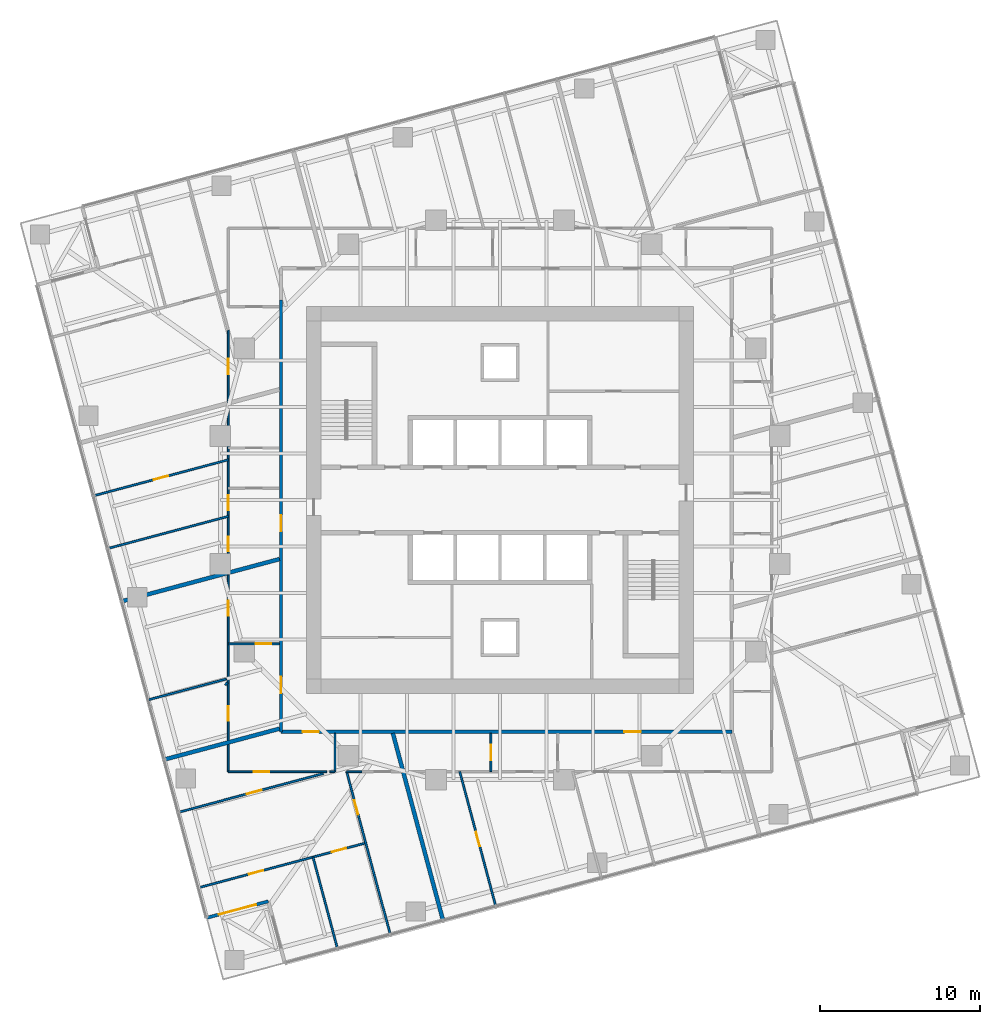
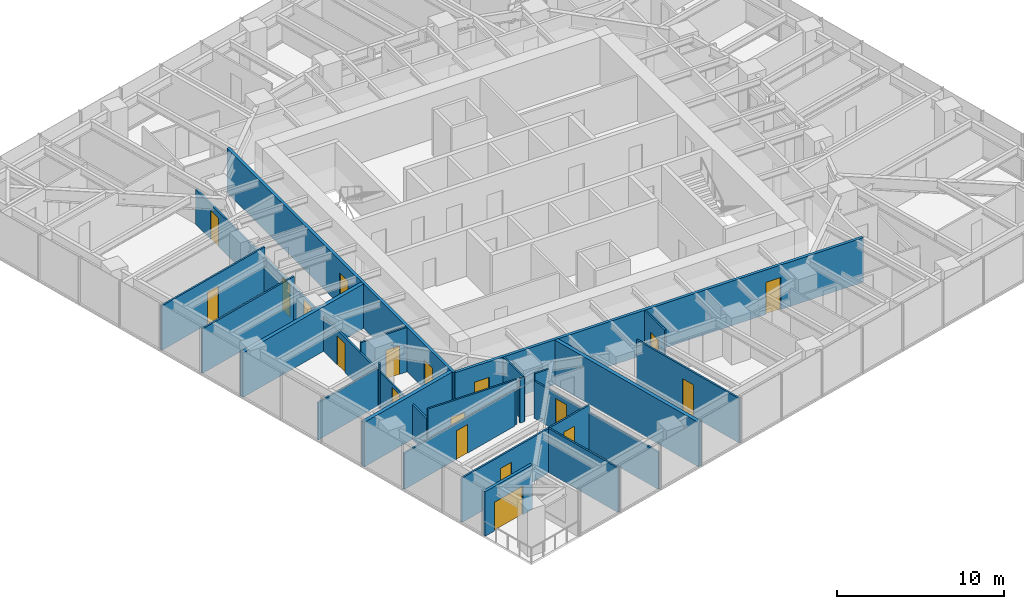
# One storey, part 8 of 13: 22 walls, 19 doors, 19 openings.
"""IFC4 building model written with IfcOpenShell, lengths in metres."""

from ifc_helpers import new_model, si_unit, direction, frame, frame_2d, origin, place, context, subcontext, project, spatial, rectangle, extrude, material, layer, layer_set, type_object, element, fill, save


model = new_model("IFC4")

# Units and contexts
model_context = context("Model", 3, precision=1e-05, world=origin(), true_north=direction((0.0, 1.0)))
body_context = subcontext(model_context, "Body", "Model", "MODEL_VIEW")
ifc_project = project(units=[si_unit("LENGTHUNIT", "METRE"), si_unit("AREAUNIT", "SQUARE_METRE"), si_unit("VOLUMEUNIT", "CUBIC_METRE"), si_unit("PLANEANGLEUNIT", "RADIAN"), si_unit("MASSUNIT", "GRAM", prefix="KILO")], contexts=[model_context])

# Site, building, storey
site_placement = place(None, origin())
site = spatial("IfcSite", under=ifc_project, at=site_placement, CompositionType="ELEMENT")
building_placement = place(site_placement, origin())
building = spatial("IfcBuilding", under=site, at=building_placement, Name="Torsade Residences", CompositionType="ELEMENT")
storey_placement = place(building_placement, frame((0.0, 0.0, 115.0)))
storey = spatial("IfcBuildingStorey", under=building, at=storey_placement, Name="L31", CompositionType="ELEMENT", Elevation=115.0)

# Wall, openings, doors
ifc_material_1 = material(Name="Plasterboard on steel stud", Category="steel")
ifc_layer_1 = layer(ifc_material_1, 0.199951171875)
ifc_layer_set_1 = layer_set([ifc_layer_1], Name="Plasterboard on steel stud")
wall_type_1 = type_object("IfcWallType", Name="CORRIDOR WALL 200", PredefinedType="PARTITIONING", material=ifc_layer_set_1)
wall_1_placement = place(storey_placement, frame((26.300048828125, 15.5, 0.0), z_axis=(0.0, 0.0, 1.0), x_axis=(1.0, 0.0, 0.0)))
wall_1 = element("IfcWall", 1, at=wall_1_placement, inside=storey, type_object=wall_type_1, Name="Corridor wall L31", PredefinedType="PARTITIONING", context=body_context, shape_type="SweptSolid", body=[
    extrude(rectangle(XDim=28.199951171875, YDim=0.199951171875, at=frame_2d((14.10009765625, 0.0))), origin(), (0.0, 0.0, 1.0), 3.25),
])
opening_1_placement = place(wall_1_placement, frame((21.473876953125, 0.0, 0.0)))
opening_1 = element("IfcOpeningElement", 2, at=opening_1_placement, cuts=wall_1, Name="Opening D01", PredefinedType="OPENING", context=body_context, shape_type="SweptSolid", body=[
    extrude(rectangle(XDim=1.02001953125, YDim=2.340087890625, at=frame_2d((0.510009765625, 1.169921875))), frame((0.0, 0.10986328125, 0.0), z_axis=(0.0, -1.0, 0.0), x_axis=(1.0, 0.0, 0.0)), (0.0, 0.0, 1.0), 0.219970703125),
])
opening_2_placement = place(wall_1_placement, frame((1.35302734375, 0.0, 0.0)))
opening_2 = element("IfcOpeningElement", 3, at=opening_2_placement, cuts=wall_1, Name="Opening D01L", PredefinedType="OPENING", context=body_context, shape_type="SweptSolid", body=[
    extrude(rectangle(XDim=1.02001953125, YDim=2.10009765625, at=frame_2d((0.510009765625, 1.050048828125))), frame((0.0, 0.10986328125, 0.0), z_axis=(0.0, -1.0, 0.0), x_axis=(1.0, 0.0, 0.0)), (0.0, 0.0, 1.0), 0.219970703125),
])
ifc_material_2 = material(Name="Solid-core timber fire door", Category="wood")
door_type_1 = type_object("IfcDoorType", Name="APARTMENT ENTRY DOOR 1020x2100", OperationType="NOTDEFINED", PredefinedType="DOOR", material=ifc_material_2)
door_1_placement = place(opening_2_placement, origin())
door_1 = element("IfcDoor", 4, at=door_1_placement, inside=storey, type_object=door_type_1, Name="Door Residential corridor to Kitchen and dining", OperationType="SINGLE_SWING_LEFT", OverallHeight=2.10009765625, OverallWidth=1.02001953125, PredefinedType="DOOR", context=body_context, shape_type="SweptSolid", body=[
    extrude(rectangle(XDim=1.02001953125, YDim=2.10009765625, at=frame_2d((0.510009765625, 1.050048828125))), frame((0.0, 0.02490234375, 0.0), z_axis=(0.0, -1.0, 0.0), x_axis=(1.0, 0.0, 0.0)), (0.0, 0.0, 1.0), 0.050048828125),
])
fill(opening_2, door_1)
ifc_material_3 = material(Name="Solid-core timber fire door", Category="wood")
door_type_2 = type_object("IfcDoorType", Name="APARTMENT ENTRY DOOR 1020x2340", OperationType="NOTDEFINED", PredefinedType="DOOR", material=ifc_material_3)
door_2_placement = place(opening_1_placement, origin())
door_2 = element("IfcDoor", 5, at=door_2_placement, inside=storey, type_object=door_type_2, Name="Door Residential corridor to Kitchen and dining", OperationType="SINGLE_SWING_LEFT", OverallHeight=2.340087890625, OverallWidth=1.02001953125, PredefinedType="DOOR", context=body_context, shape_type="SweptSolid", body=[
    extrude(rectangle(XDim=1.02001953125, YDim=2.340087890625, at=frame_2d((0.510009765625, 1.169921875))), frame((0.0, 0.02490234375, 0.0), z_axis=(0.0, -1.0, 0.0), x_axis=(1.0, 0.0, 0.0)), (0.0, 0.0, 1.0), 0.050048828125),
])
fill(opening_1, door_2)

wall_2_placement = place(storey_placement, frame((26.300048828125, 42.52001953125, 0.0), z_axis=(0.0, 0.0, 1.0), x_axis=(0.0, -1.0, 0.0)))
wall_2 = element("IfcWall", 6, at=wall_2_placement, inside=storey, type_object=wall_type_1, Name="Corridor wall L31", PredefinedType="PARTITIONING", context=body_context, shape_type="SweptSolid", body=[
    extrude(rectangle(XDim=27.02001953125, YDim=0.199951171875, at=frame_2d((13.510009765625, 0.0))), origin(), (0.0, 0.0, 1.0), 3.25),
])
opening_3_placement = place(wall_2_placement, frame((23.583984375, 0.0, 0.0)))
opening_3 = element("IfcOpeningElement", 7, at=opening_3_placement, cuts=wall_2, Name="Opening D01L", PredefinedType="OPENING", context=body_context, shape_type="SweptSolid", body=[
    extrude(rectangle(XDim=1.02001953125, YDim=2.10009765625, at=frame_2d((0.510009765625, 1.050048828125))), frame((0.0, 0.10986328125, 0.0), z_axis=(0.0, -1.0, 0.0), x_axis=(1.0, 0.0, 0.0)), (0.0, 0.0, 1.0), 0.219970703125),
])
opening_4_placement = place(wall_2_placement, frame((13.468017578125, 0.0, 0.0)))
opening_4 = element("IfcOpeningElement", 8, at=opening_4_placement, cuts=wall_2, Name="Opening D01", PredefinedType="OPENING", context=body_context, shape_type="SweptSolid", body=[
    extrude(rectangle(XDim=1.02001953125, YDim=2.340087890625, at=frame_2d((0.510009765625, 1.169921875))), frame((0.0, 0.10986328125, 0.0), z_axis=(0.0, -1.0, 0.0), x_axis=(1.0, 0.0, 0.0)), (0.0, 0.0, 1.0), 0.219970703125),
])
door_3_placement = place(opening_3_placement, origin())
door_3 = element("IfcDoor", 9, at=door_3_placement, inside=storey, type_object=door_type_1, Name="Door Residential corridor to Kitchen and dining", OperationType="SINGLE_SWING_RIGHT", OverallHeight=2.10009765625, OverallWidth=1.02001953125, PredefinedType="DOOR", context=body_context, shape_type="SweptSolid", body=[
    extrude(rectangle(XDim=1.02001953125, YDim=2.10009765625, at=frame_2d((0.510009765625, 1.050048828125))), frame((0.0, 0.02490234375, 0.0), z_axis=(0.0, -1.0, 0.0), x_axis=(1.0, 0.0, 0.0)), (0.0, 0.0, 1.0), 0.050048828125),
])
fill(opening_3, door_3)
door_4_placement = place(opening_4_placement, origin())
door_4 = element("IfcDoor", 10, at=door_4_placement, inside=storey, type_object=door_type_2, Name="Door Residential corridor to Kitchen and dining", OperationType="SINGLE_SWING_RIGHT", OverallHeight=2.340087890625, OverallWidth=1.02001953125, PredefinedType="DOOR", context=body_context, shape_type="SweptSolid", body=[
    extrude(rectangle(XDim=1.02001953125, YDim=2.340087890625, at=frame_2d((0.510009765625, 1.169921875))), frame((0.0, 0.02490234375, 0.0), z_axis=(0.0, -1.0, 0.0), x_axis=(1.0, 0.0, 0.0)), (0.0, 0.0, 1.0), 0.050048828125),
])
fill(opening_4, door_4)

# Wall, opening, door
ifc_material_4 = material(Name="Plasterboard on steel stud", Category="steel")
ifc_layer_2 = layer(ifc_material_4, 0.1201171875)
ifc_layer_set_2 = layer_set([ifc_layer_2], Name="Plasterboard on steel stud")
wall_type_2 = type_object("IfcWallType", Name="PARTITION 120", PredefinedType="PARTITIONING", material=ifc_layer_set_2)
wall_3_placement = place(storey_placement, frame((23.0, 21.001953125, 0.0), z_axis=(0.0, 0.0, 1.0), x_axis=(1.0, 0.0, 0.0)))
wall_3 = element("IfcWall", 11, at=wall_3_placement, inside=storey, type_object=wall_type_2, Name="Partition L31", PredefinedType="PARTITIONING", context=body_context, shape_type="SweptSolid", body=[
    extrude(rectangle(XDim=3.199951171875, YDim=0.1201171875, at=frame_2d((1.60009765625, 0.0))), origin(), (0.0, 0.0, 1.0), 3.25),
])
opening_5_placement = place(wall_3_placement, frame((1.719970703125, 0.0, 0.0)))
opening_5 = element("IfcOpeningElement", 12, at=opening_5_placement, cuts=wall_3, Name="Opening D05", PredefinedType="OPENING", context=body_context, shape_type="SweptSolid", body=[
    extrude(rectangle(XDim=0.9599609375, YDim=2.10009765625, at=frame_2d((0.47998046875, 1.050048828125))), frame((0.0, 0.070068359375, 0.0), z_axis=(0.0, -1.0, 0.0), x_axis=(1.0, 0.0, 0.0)), (0.0, 0.0, 1.0), 0.14013671875),
])
ifc_material_5 = material(Name="Hollow-core timber door in a steel cavity frame", Category="steel")
door_type_3 = type_object("IfcDoorType", Name="BATHROOM CAVITY SLIDING DOOR 960", OperationType="SLIDING_TO_LEFT", PredefinedType="DOOR", material=ifc_material_5)
door_5_placement = place(opening_5_placement, origin())
door_5 = element("IfcDoor", 13, at=door_5_placement, inside=storey, type_object=door_type_3, Name="Door Kitchen and dining to Bathroom", OperationType="SLIDING_TO_LEFT", OverallHeight=2.10009765625, OverallWidth=0.9599609375, PredefinedType="DOOR", context=body_context, shape_type="SweptSolid", body=[
    extrude(rectangle(XDim=0.9599609375, YDim=2.10009765625, at=frame_2d((0.47998046875, 1.050048828125))), frame((0.0, 0.02490234375, 0.0), z_axis=(0.0, -1.0, 0.0), x_axis=(1.0, 0.0, 0.0)), (0.0, 0.0, 1.0), 0.050048828125),
])
fill(opening_5, door_5)

# Wall, openings, doors
wall_4_placement = place(storey_placement, frame((23.0, 13.0, 0.0), z_axis=(0.0, 0.0, 1.0), x_axis=(0.0, 1.0, 0.0)))
wall_4 = element("IfcWall", 14, at=wall_4_placement, inside=storey, type_object=wall_type_2, Name="Partition L31", PredefinedType="PARTITIONING", context=body_context, shape_type="SweptSolid", body=[
    extrude(rectangle(XDim=27.6396484375, YDim=0.1201171875, at=frame_2d((13.81982421875, 0.0))), origin(), (0.0, 0.0, 1.0), 2.550048828125),
])
opening_6_placement = place(wall_4_placement, frame((3.19189453125, 0.0, 0.0)))
opening_6 = element("IfcOpeningElement", 15, at=opening_6_placement, cuts=wall_4, Name="Opening D02", PredefinedType="OPENING", context=body_context, shape_type="SweptSolid", body=[
    extrude(rectangle(XDim=0.919921875, YDim=2.340087890625, at=frame_2d((0.4599609375, 1.169921875))), frame((0.0, 0.070068359375, 0.0), z_axis=(0.0, -1.0, 0.0), x_axis=(1.0, 0.0, 0.0)), (0.0, 0.0, 1.0), 0.14013671875),
])
opening_7_placement = place(wall_4_placement, frame((13.779296875, 0.0, 0.0)))
opening_7 = element("IfcOpeningElement", 16, at=opening_7_placement, cuts=wall_4, Name="Opening D02", PredefinedType="OPENING", context=body_context, shape_type="SweptSolid", body=[
    extrude(rectangle(XDim=0.919921875, YDim=2.340087890625, at=frame_2d((0.4599609375, 1.169921875))), frame((0.0, 0.070068359375, 0.0), z_axis=(0.0, -1.0, 0.0), x_axis=(1.0, 0.0, 0.0)), (0.0, 0.0, 1.0), 0.14013671875),
])
opening_8_placement = place(wall_4_placement, frame((16.373779296875, 0.0, 0.0)))
opening_8 = element("IfcOpeningElement", 17, at=opening_8_placement, cuts=wall_4, Name="Opening D02", PredefinedType="OPENING", context=body_context, shape_type="SweptSolid", body=[
    extrude(rectangle(XDim=0.919921875, YDim=2.340087890625, at=frame_2d((0.4599609375, 1.169921875))), frame((0.0, 0.070068359375, 0.0), z_axis=(0.0, -1.0, 0.0), x_axis=(1.0, 0.0, 0.0)), (0.0, 0.0, 1.0), 0.14013671875),
])
opening_9_placement = place(wall_4_placement, frame((9.743408203125, 0.0, 0.0)))
opening_9 = element("IfcOpeningElement", 18, at=opening_9_placement, cuts=wall_4, Name="Opening D05", PredefinedType="OPENING", context=body_context, shape_type="SweptSolid", body=[
    extrude(rectangle(XDim=0.9599609375, YDim=2.10009765625, at=frame_2d((0.47998046875, 1.050048828125))), frame((0.0, 0.070068359375, 0.0), z_axis=(0.0, -1.0, 0.0), x_axis=(1.0, 0.0, 0.0)), (0.0, 0.0, 1.0), 0.14013671875),
])
opening_10_placement = place(wall_4_placement, frame((24.87939453125, 0.0, 0.0)))
opening_10 = element("IfcOpeningElement", 19, at=opening_10_placement, cuts=wall_4, Name="Opening D05", PredefinedType="OPENING", context=body_context, shape_type="SweptSolid", body=[
    extrude(rectangle(XDim=0.9599609375, YDim=2.10009765625, at=frame_2d((0.47998046875, 1.050048828125))), frame((0.0, 0.070068359375, 0.0), z_axis=(0.0, -1.0, 0.0), x_axis=(1.0, 0.0, 0.0)), (0.0, 0.0, 1.0), 0.14013671875),
])
door_6_placement = place(opening_9_placement, origin())
door_6 = element("IfcDoor", 20, at=door_6_placement, inside=storey, type_object=door_type_3, Name="Door Bathroom to Living room", OperationType="SLIDING_TO_LEFT", OverallHeight=2.10009765625, OverallWidth=0.9599609375, PredefinedType="DOOR", context=body_context, shape_type="SweptSolid", body=[
    extrude(rectangle(XDim=0.9599609375, YDim=2.10009765625, at=frame_2d((0.47998046875, 1.050048828125))), frame((0.0, 0.02490234375, 0.0), z_axis=(0.0, -1.0, 0.0), x_axis=(1.0, 0.0, 0.0)), (0.0, 0.0, 1.0), 0.050048828125),
])
fill(opening_9, door_6)
door_7_placement = place(opening_10_placement, origin())
door_7 = element("IfcDoor", 21, at=door_7_placement, inside=storey, type_object=door_type_3, Name="Door Bathroom to Living room", OperationType="SLIDING_TO_LEFT", OverallHeight=2.10009765625, OverallWidth=0.9599609375, PredefinedType="DOOR", context=body_context, shape_type="SweptSolid", body=[
    extrude(rectangle(XDim=0.9599609375, YDim=2.10009765625, at=frame_2d((0.47998046875, 1.050048828125))), frame((0.0, 0.02490234375, 0.0), z_axis=(0.0, -1.0, 0.0), x_axis=(1.0, 0.0, 0.0)), (0.0, 0.0, 1.0), 0.050048828125),
])
fill(opening_10, door_7)
ifc_material_6 = material(Name="Hollow-core timber door", Category="wood")
door_type_4 = type_object("IfcDoorType", Name="INTERNAL DOOR 920x2340", OperationType="NOTDEFINED", PredefinedType="DOOR", material=ifc_material_6)
door_8_placement = place(opening_6_placement, origin())
door_8 = element("IfcDoor", 22, at=door_8_placement, inside=storey, type_object=door_type_4, Name="Door Kitchen and dining to Bedroom 1", OperationType="SINGLE_SWING_RIGHT", OverallHeight=2.340087890625, OverallWidth=0.919921875, PredefinedType="DOOR", context=body_context, shape_type="SweptSolid", body=[
    extrude(rectangle(XDim=0.919921875, YDim=2.340087890625, at=frame_2d((0.4599609375, 1.169921875))), frame((0.0, 0.02490234375, 0.0), z_axis=(0.0, -1.0, 0.0), x_axis=(1.0, 0.0, 0.0)), (0.0, 0.0, 1.0), 0.050048828125),
])
fill(opening_6, door_8)
door_9_placement = place(opening_7_placement, origin())
door_9 = element("IfcDoor", 23, at=door_9_placement, inside=storey, type_object=door_type_4, Name="Door Kitchen and dining to Bedroom 2", OperationType="SINGLE_SWING_LEFT", OverallHeight=2.340087890625, OverallWidth=0.919921875, PredefinedType="DOOR", context=body_context, shape_type="SweptSolid", body=[
    extrude(rectangle(XDim=0.919921875, YDim=2.340087890625, at=frame_2d((0.4599609375, 1.169921875))), frame((0.0, 0.02490234375, 0.0), z_axis=(0.0, -1.0, 0.0), x_axis=(1.0, 0.0, 0.0)), (0.0, 0.0, 1.0), 0.050048828125),
])
fill(opening_7, door_9)
door_10_placement = place(opening_8_placement, origin())
door_10 = element("IfcDoor", 24, at=door_10_placement, inside=storey, type_object=door_type_4, Name="Door Kitchen and dining to Bedroom 1", OperationType="SINGLE_SWING_LEFT", OverallHeight=2.340087890625, OverallWidth=0.919921875, PredefinedType="DOOR", context=body_context, shape_type="SweptSolid", body=[
    extrude(rectangle(XDim=0.919921875, YDim=2.340087890625, at=frame_2d((0.4599609375, 1.169921875))), frame((0.0, 0.02490234375, 0.0), z_axis=(0.0, -1.0, 0.0), x_axis=(1.0, 0.0, 0.0)), (0.0, 0.0, 1.0), 0.050048828125),
])
fill(opening_8, door_10)

# Walls
wall_5_placement = place(storey_placement, frame((22.813232421875, 18.42041015625, 0.0), z_axis=(0.0, 0.0, 1.0), x_axis=(0.609039064162, 0.793140226142, 0.0)))
element("IfcWall", 25, at=wall_5_placement, inside=storey, type_object=wall_type_2, Name="Partition L31", PredefinedType="PARTITIONING", context=body_context, shape_type="SweptSolid", body=[
    extrude(rectangle(XDim=0.2109375, YDim=0.1201171875, at=frame_2d((0.10546875, 0.0))), origin(), (0.0, 0.0, 1.0), 3.25),
])
wall_6_placement = place(storey_placement, frame((22.883544921875, 18.80517578125, 0.0), z_axis=(0.0, 0.0, 1.0), x_axis=(-0.965921615375, -0.258834759935, 0.0)))
element("IfcWall", 26, at=wall_6_placement, inside=storey, type_object=wall_type_2, Name="Partition L31", PredefinedType="PARTITIONING", context=body_context, shape_type="SweptSolid", body=[
    extrude(rectangle(XDim=5.029296875, YDim=0.1201171875, at=frame_2d((2.5146484375, 0.0))), origin(), (0.0, 0.0, 1.0), 2.721923828125),
])
wall_7_placement = place(storey_placement, frame((29.676025390625, 15.39990234375, 0.0), z_axis=(0.0, 0.0, 1.0), x_axis=(0.0, -1.0, 0.0)))
element("IfcWall", 27, at=wall_7_placement, inside=storey, type_object=wall_type_2, Name="Partition L31", PredefinedType="PARTITIONING", context=body_context, shape_type="SweptSolid", body=[
    extrude(rectangle(XDim=2.39990234375, YDim=0.1201171875, at=frame_2d((1.199951171875, 0.0))), origin(), (0.0, 0.0, 1.0), 3.25),
])

# Wall, opening, door
wall_8_placement = place(storey_placement, frame((29.147216796875, 13.0, 0.0), z_axis=(0.0, 0.0, 1.0), x_axis=(-1.0, 0.0, 0.0)))
wall_8 = element("IfcWall", 28, at=wall_8_placement, inside=storey, type_object=wall_type_2, Name="Partition L31", PredefinedType="PARTITIONING", context=body_context, shape_type="SweptSolid", body=[
    extrude(rectangle(XDim=6.147216796875, YDim=0.1201171875, at=frame_2d((3.07373046875, 0.0))), origin(), (0.0, 0.0, 1.0), 3.25),
])
opening_11_placement = place(wall_8_placement, frame((3.591064453125, 0.0, 0.0)))
opening_11 = element("IfcOpeningElement", 29, at=opening_11_placement, cuts=wall_8, Name="Opening D05", PredefinedType="OPENING", context=body_context, shape_type="SweptSolid", body=[
    extrude(rectangle(XDim=0.9599609375, YDim=2.10009765625, at=frame_2d((0.47998046875, 1.050048828125))), frame((0.0, 0.070068359375, 0.0), z_axis=(0.0, -1.0, 0.0), x_axis=(1.0, 0.0, 0.0)), (0.0, 0.0, 1.0), 0.14013671875),
])
door_11_placement = place(opening_11_placement, origin())
door_11 = element("IfcDoor", 30, at=door_11_placement, inside=storey, type_object=door_type_3, Name="Door Kitchen and dining to Bathroom", OperationType="SLIDING_TO_LEFT", OverallHeight=2.10009765625, OverallWidth=0.9599609375, PredefinedType="DOOR", context=body_context, shape_type="SweptSolid", body=[
    extrude(rectangle(XDim=0.9599609375, YDim=2.10009765625, at=frame_2d((0.47998046875, 1.050048828125))), frame((0.0, 0.02490234375, 0.0), z_axis=(0.0, -1.0, 0.0), x_axis=(1.0, 0.0, 0.0)), (0.0, 0.0, 1.0), 0.050048828125),
])
fill(opening_11, door_11)

wall_9_placement = place(storey_placement, frame((30.406494140625, 13.0, 0.0), z_axis=(0.0, 0.0, 1.0), x_axis=(0.258797552287, -0.965931585015, 0.0)))
wall_9 = element("IfcWall", 31, at=wall_9_placement, inside=storey, type_object=wall_type_2, Name="Partition L31", PredefinedType="PARTITIONING", context=body_context, shape_type="SweptSolid", body=[
    extrude(rectangle(XDim=10.522216796875, YDim=0.1201171875, at=frame_2d((5.26123046875, 0.0))), origin(), (0.0, 0.0, 1.0), 2.721923828125),
])
opening_12_placement = place(wall_9_placement, frame((1.846435546875, 0.0, 0.0)))
opening_12 = element("IfcOpeningElement", 32, at=opening_12_placement, cuts=wall_9, Name="Opening D02", PredefinedType="OPENING", context=body_context, shape_type="SweptSolid", body=[
    extrude(rectangle(XDim=0.919921875, YDim=2.340087890625, at=frame_2d((0.4599609375, 1.169921875))), frame((0.0, 0.070068359375, 0.0), z_axis=(0.0, -1.0, 0.0), x_axis=(1.0, 0.0, 0.0)), (0.0, 0.0, 1.0), 0.14013671875),
])
door_12_placement = place(opening_12_placement, origin())
door_12 = element("IfcDoor", 33, at=door_12_placement, inside=storey, type_object=door_type_4, Name="Door Living room to Bedroom 1", OperationType="SINGLE_SWING_LEFT", OverallHeight=2.340087890625, OverallWidth=0.919921875, PredefinedType="DOOR", context=body_context, shape_type="SweptSolid", body=[
    extrude(rectangle(XDim=0.919921875, YDim=2.340087890625, at=frame_2d((0.4599609375, 1.169921875))), frame((0.0, 0.02490234375, 0.0), z_axis=(0.0, -1.0, 0.0), x_axis=(1.0, 0.0, 0.0)), (0.0, 0.0, 1.0), 0.050048828125),
])
fill(opening_12, door_12)

# Wall, openings, doors
wall_10_placement = place(storey_placement, frame((31.60009765625, 8.54443359375, 0.0), z_axis=(0.0, 0.0, 1.0), x_axis=(-0.965927151587, -0.258814098973, 0.0)))
wall_10 = element("IfcWall", 34, at=wall_10_placement, inside=storey, type_object=wall_type_2, Name="Partition L31", PredefinedType="PARTITIONING", context=body_context, shape_type="SweptSolid", body=[
    extrude(rectangle(XDim=10.793212890625, YDim=0.1201171875, at=frame_2d((5.396484375, 0.0))), origin(), (0.0, 0.0, 1.0), 3.25),
])
opening_13_placement = place(wall_10_placement, frame((6.639892578125, 0.0, 0.0)))
opening_13 = element("IfcOpeningElement", 35, at=opening_13_placement, cuts=wall_10, Name="Opening D02", PredefinedType="OPENING", context=body_context, shape_type="SweptSolid", body=[
    extrude(rectangle(XDim=0.919921875, YDim=2.340087890625, at=frame_2d((0.4599609375, 1.169921875))), frame((0.0, 0.070068359375, 0.0), z_axis=(0.0, -1.0, 0.0), x_axis=(1.0, 0.0, 0.0)), (0.0, 0.0, 1.0), 0.14013671875),
])
opening_14_placement = place(wall_10_placement, frame((1.273193359375, 0.0, 0.0)))
opening_14 = element("IfcOpeningElement", 36, at=opening_14_placement, cuts=wall_10, Name="Opening D02", PredefinedType="OPENING", context=body_context, shape_type="SweptSolid", body=[
    extrude(rectangle(XDim=0.919921875, YDim=2.340087890625, at=frame_2d((0.4599609375, 1.169921875))), frame((0.0, 0.070068359375, 0.0), z_axis=(0.0, -1.0, 0.0), x_axis=(1.0, 0.0, 0.0)), (0.0, 0.0, 1.0), 0.14013671875),
])
door_13_placement = place(opening_13_placement, origin())
door_13 = element("IfcDoor", 37, at=door_13_placement, inside=storey, type_object=door_type_4, Name="Door Living room to Bedroom 2", OperationType="SINGLE_SWING_LEFT", OverallHeight=2.340087890625, OverallWidth=0.919921875, PredefinedType="DOOR", context=body_context, shape_type="SweptSolid", body=[
    extrude(rectangle(XDim=0.919921875, YDim=2.340087890625, at=frame_2d((0.4599609375, 1.169921875))), frame((0.0, 0.02490234375, 0.0), z_axis=(0.0, -1.0, 0.0), x_axis=(1.0, 0.0, 0.0)), (0.0, 0.0, 1.0), 0.050048828125),
])
fill(opening_13, door_13)
door_14_placement = place(opening_14_placement, origin())
door_14 = element("IfcDoor", 38, at=door_14_placement, inside=storey, type_object=door_type_4, Name="Door Living room to Bedroom 3", OperationType="SINGLE_SWING_RIGHT", OverallHeight=2.340087890625, OverallWidth=0.919921875, PredefinedType="DOOR", context=body_context, shape_type="SweptSolid", body=[
    extrude(rectangle(XDim=0.919921875, YDim=2.340087890625, at=frame_2d((0.4599609375, 1.169921875))), frame((0.0, 0.02490234375, 0.0), z_axis=(0.0, -1.0, 0.0), x_axis=(1.0, 0.0, 0.0)), (0.0, 0.0, 1.0), 0.050048828125),
])
fill(opening_14, door_14)

# Wall, opening, door
wall_11_placement = place(storey_placement, frame((19.91064453125, 10.46826171875, 0.0), z_axis=(0.0, 0.0, 1.0), x_axis=(0.965927203676, 0.25881390457, 0.0)))
wall_11 = element("IfcWall", 39, at=wall_11_placement, inside=storey, type_object=wall_type_2, Name="Partition L31", PredefinedType="PARTITIONING", context=body_context, shape_type="SweptSolid", body=[
    extrude(rectangle(XDim=9.356689453125, YDim=0.1201171875, at=frame_2d((4.67822265625, 0.0))), origin(), (0.0, 0.0, 1.0), 2.637939453125),
])
opening_15_placement = place(wall_11_placement, frame((4.390869140625, 0.0, 0.0)))
opening_15 = element("IfcOpeningElement", 40, at=opening_15_placement, cuts=wall_11, Name="Opening D05", PredefinedType="OPENING", context=body_context, shape_type="SweptSolid", body=[
    extrude(rectangle(XDim=0.9599609375, YDim=2.10009765625, at=frame_2d((0.47998046875, 1.050048828125))), frame((0.0, 0.070068359375, 0.0), z_axis=(0.0, -1.0, 0.0), x_axis=(1.0, 0.0, 0.0)), (0.0, 0.0, 1.0), 0.14013671875),
])
door_15_placement = place(opening_15_placement, origin())
door_15 = element("IfcDoor", 41, at=door_15_placement, inside=storey, type_object=door_type_3, Name="Door Bathroom to Living room", OperationType="SLIDING_TO_LEFT", OverallHeight=2.10009765625, OverallWidth=0.9599609375, PredefinedType="DOOR", context=body_context, shape_type="SweptSolid", body=[
    extrude(rectangle(XDim=0.9599609375, YDim=2.10009765625, at=frame_2d((0.47998046875, 1.050048828125))), frame((0.0, 0.02490234375, 0.0), z_axis=(0.0, -1.0, 0.0), x_axis=(1.0, 0.0, 0.0)), (0.0, 0.0, 1.0), 0.050048828125),
])
fill(opening_15, door_15)

# Wall
wall_12_placement = place(storey_placement, frame((28.300048828125, 7.66015625, 0.0), z_axis=(0.0, 0.0, 1.0), x_axis=(0.25882212607, -0.965925000741, 0.0)))
element("IfcWall", 42, at=wall_12_placement, inside=storey, type_object=wall_type_2, Name="Partition L31", PredefinedType="PARTITIONING", context=body_context, shape_type="SweptSolid", body=[
    extrude(rectangle(XDim=5.90966796875, YDim=0.1201171875, at=frame_2d((2.954833984375, 0.0))), origin(), (0.0, 0.0, 1.0), 3.25),
])

# Wall, opening, door
wall_13_placement = place(storey_placement, frame((39.431884765625, 15.39990234375, 0.0), z_axis=(0.0, 0.0, 1.0), x_axis=(0.0, -1.0, 0.0)))
wall_13 = element("IfcWall", 43, at=wall_13_placement, inside=storey, type_object=wall_type_2, Name="Partition L31", PredefinedType="PARTITIONING", context=body_context, shape_type="SweptSolid", body=[
    extrude(rectangle(XDim=2.39990234375, YDim=0.1201171875, at=frame_2d((1.199951171875, 0.0))), origin(), (0.0, 0.0, 1.0), 3.25),
])
opening_16_placement = place(wall_13_placement, frame((0.719970703125, 0.0, 0.0)))
opening_16 = element("IfcOpeningElement", 44, at=opening_16_placement, cuts=wall_13, Name="Opening D05", PredefinedType="OPENING", context=body_context, shape_type="SweptSolid", body=[
    extrude(rectangle(XDim=0.9599609375, YDim=2.10009765625, at=frame_2d((0.47998046875, 1.050048828125))), frame((0.0, 0.070068359375, 0.0), z_axis=(0.0, -1.0, 0.0), x_axis=(1.0, 0.0, 0.0)), (0.0, 0.0, 1.0), 0.14013671875),
])
door_16_placement = place(opening_16_placement, origin())
door_16 = element("IfcDoor", 45, at=door_16_placement, inside=storey, type_object=door_type_3, Name="Door Ensuite to Bathroom", OperationType="SLIDING_TO_LEFT", OverallHeight=2.10009765625, OverallWidth=0.9599609375, PredefinedType="DOOR", context=body_context, shape_type="SweptSolid", body=[
    extrude(rectangle(XDim=0.9599609375, YDim=2.10009765625, at=frame_2d((0.47998046875, 1.050048828125))), frame((0.0, 0.02490234375, 0.0), z_axis=(0.0, -1.0, 0.0), x_axis=(1.0, 0.0, 0.0)), (0.0, 0.0, 1.0), 0.050048828125),
])
fill(opening_16, door_16)

wall_14_placement = place(storey_placement, frame((39.730224609375, 4.604736328125, 0.0), z_axis=(0.0, 0.0, 1.0), x_axis=(-0.258819860698, 0.965925607751, 0.0)))
wall_14 = element("IfcWall", 46, at=wall_14_placement, inside=storey, type_object=wall_type_2, Name="Partition L31", PredefinedType="PARTITIONING", context=body_context, shape_type="SweptSolid", body=[
    extrude(rectangle(XDim=8.69140625, YDim=0.1201171875, at=frame_2d((4.345703125, 0.0))), origin(), (0.0, 0.0, 1.0), 3.25),
])
opening_17_placement = place(wall_14_placement, frame((3.86572265625, 0.0, 0.0)))
opening_17 = element("IfcOpeningElement", 47, at=opening_17_placement, cuts=wall_14, Name="Opening D02", PredefinedType="OPENING", context=body_context, shape_type="SweptSolid", body=[
    extrude(rectangle(XDim=0.919921875, YDim=2.340087890625, at=frame_2d((0.4599609375, 1.169921875))), frame((0.0, 0.070068359375, 0.0), z_axis=(0.0, -1.0, 0.0), x_axis=(1.0, 0.0, 0.0)), (0.0, 0.0, 1.0), 0.14013671875),
])
door_17_placement = place(opening_17_placement, origin())
door_17 = element("IfcDoor", 48, at=door_17_placement, inside=storey, type_object=door_type_4, Name="Door Living room to Bedroom 1", OperationType="SINGLE_SWING_RIGHT", OverallHeight=2.340087890625, OverallWidth=0.919921875, PredefinedType="DOOR", context=body_context, shape_type="SweptSolid", body=[
    extrude(rectangle(XDim=0.919921875, YDim=2.340087890625, at=frame_2d((0.4599609375, 1.169921875))), frame((0.0, 0.02490234375, 0.0), z_axis=(0.0, -1.0, 0.0), x_axis=(1.0, 0.0, 0.0)), (0.0, 0.0, 1.0), 0.050048828125),
])
fill(opening_17, door_17)

wall_15_placement = place(storey_placement, frame((23.0, 32.519287109375, 0.0), z_axis=(0.0, 0.0, 1.0), x_axis=(-0.965925607751, -0.258819860698, 0.0)))
wall_15 = element("IfcWall", 49, at=wall_15_placement, inside=storey, type_object=wall_type_2, Name="Partition L31", PredefinedType="PARTITIONING", context=body_context, shape_type="SweptSolid", body=[
    extrude(rectangle(XDim=8.69140625, YDim=0.1201171875, at=frame_2d((4.345703125, 0.0))), origin(), (0.0, 0.0, 1.0), 3.25),
])
opening_18_placement = place(wall_15_placement, frame((3.90576171875, 0.0, 0.0)))
opening_18 = element("IfcOpeningElement", 50, at=opening_18_placement, cuts=wall_15, Name="Opening D02", PredefinedType="OPENING", context=body_context, shape_type="SweptSolid", body=[
    extrude(rectangle(XDim=0.919921875, YDim=2.340087890625, at=frame_2d((0.4599609375, 1.169921875))), frame((0.0, 0.070068359375, 0.0), z_axis=(0.0, -1.0, 0.0), x_axis=(1.0, 0.0, 0.0)), (0.0, 0.0, 1.0), 0.14013671875),
])
door_18_placement = place(opening_18_placement, origin())
door_18 = element("IfcDoor", 51, at=door_18_placement, inside=storey, type_object=door_type_4, Name="Door Bedroom 1 to Living room", OperationType="SINGLE_SWING_RIGHT", OverallHeight=2.340087890625, OverallWidth=0.919921875, PredefinedType="DOOR", context=body_context, shape_type="SweptSolid", body=[
    extrude(rectangle(XDim=0.919921875, YDim=2.340087890625, at=frame_2d((0.4599609375, 1.169921875))), frame((0.0, 0.02490234375, 0.0), z_axis=(0.0, -1.0, 0.0), x_axis=(1.0, 0.0, 0.0)), (0.0, 0.0, 1.0), 0.050048828125),
])
fill(opening_18, door_18)

# Walls
wall_16_placement = place(storey_placement, frame((23.0, 28.98193359375, 0.0), z_axis=(0.0, 0.0, 1.0), x_axis=(-0.965927309482, -0.258813509689, 0.0)))
element("IfcWall", 52, at=wall_16_placement, inside=storey, type_object=wall_type_2, Name="Partition L31", PredefinedType="PARTITIONING", context=body_context, shape_type="SweptSolid", body=[
    extrude(rectangle(XDim=7.775634765625, YDim=0.1201171875, at=frame_2d((3.8876953125, 0.0))), origin(), (0.0, 0.0, 1.0), 3.25),
])
wall_17_placement = place(storey_placement, frame((29.676025390625, 13.0, 0.0), z_axis=(0.0, 0.0, 1.0), x_axis=(-1.0, 0.0, 0.0)))
element("IfcWall", 53, at=wall_17_placement, inside=storey, type_object=wall_type_2, Name="Partition L31", PredefinedType="PARTITIONING", context=body_context, shape_type="SweptSolid", body=[
    extrude(rectangle(XDim=0.31689453125, YDim=0.1201171875, at=frame_2d((0.158447265625, 0.0))), origin(), (0.0, 0.0, 1.0), 3.25),
])
wall_18_placement = place(storey_placement, frame((31.353515625, 13.0, 0.0), z_axis=(0.0, 0.0, 1.0), x_axis=(-1.0, 0.0, 0.0)))
element("IfcWall", 54, at=wall_18_placement, inside=storey, type_object=wall_type_2, Name="Partition L31", PredefinedType="PARTITIONING", context=body_context, shape_type="SweptSolid", body=[
    extrude(rectangle(XDim=0.947021484375, YDim=0.1201171875, at=frame_2d((0.4736328125, 0.0))), origin(), (0.0, 0.0, 1.0), 3.25),
])
ifc_material_7 = material(Name="Masonry-lined stud party wall", Category="masonry")
ifc_layer_3 = layer(ifc_material_7, 0.25)
ifc_layer_set_3 = layer_set([ifc_layer_3], Name="Masonry-lined stud party wall")
wall_type_3 = type_object("IfcWallType", Name="PARTY WALL 250", PredefinedType="PARTITIONING", material=ifc_layer_set_3)
wall_19_placement = place(storey_placement, frame((36.4404296875, 3.681884765625, 0.0), z_axis=(0.0, 0.0, 1.0), x_axis=(-0.258824223352, 0.965924438766, 0.0)))
element("IfcWall", 55, at=wall_19_placement, inside=storey, type_object=wall_type_3, Name="Party wall L31", PredefinedType="PARTITIONING", context=body_context, shape_type="SweptSolid", body=[
    extrude(rectangle(XDim=12.137939453125, YDim=0.25, at=frame_2d((6.06884765625, 0.0))), origin(), (0.0, 0.0, 1.0), 3.25),
])
wall_20_placement = place(storey_placement, frame((16.334716796875, 23.658935546875, 0.0), z_axis=(0.0, 0.0, 1.0), x_axis=(0.965927365002, 0.258813302479, 0.0)))
element("IfcWall", 56, at=wall_20_placement, inside=storey, type_object=wall_type_3, Name="Party wall L31", PredefinedType="PARTITIONING", context=body_context, shape_type="SweptSolid", body=[
    extrude(rectangle(XDim=10.2197265625, YDim=0.25, at=frame_2d((5.10986328125, 0.0))), origin(), (0.0, 0.0, 1.0), 3.25),
])
wall_21_placement = place(storey_placement, frame((18.98779296875, 13.75830078125, 0.0), z_axis=(0.0, 0.0, 1.0), x_axis=(0.965929532284, 0.258805213744, 0.0)))
element("IfcWall", 57, at=wall_21_placement, inside=storey, type_object=wall_type_3, Name="Party wall L31", PredefinedType="PARTITIONING", context=body_context, shape_type="SweptSolid", body=[
    extrude(rectangle(XDim=7.47314453125, YDim=0.25, at=frame_2d((3.736572265625, 0.0))), origin(), (0.0, 0.0, 1.0), 3.25),
])

# Wall, opening, door
ifc_material_8 = material(Name="Stone-faced precast concrete 40 MPa panel", Category="masonry")
ifc_layer_4 = layer(ifc_material_8, 0.199951171875)
ifc_layer_set_4 = layer_set([ifc_layer_4], Name="Stone-faced precast concrete 40 MPa panel")
wall_type_4 = type_object("IfcWallType", Name="TERRACE WALL 200", PredefinedType="SOLIDWALL", material=ifc_layer_set_4)
wall_22_placement = place(storey_placement, frame((21.640625, 3.857421875, 0.0), z_axis=(0.0, 0.0, 1.0), x_axis=(0.965919172068, 0.258843877716, 0.0)))
wall_22 = element("IfcWall", 58, at=wall_22_placement, inside=storey, type_object=wall_type_4, Name="Terrace wall L31 11", PredefinedType="SOLIDWALL", context=body_context, shape_type="SweptSolid", body=[
    extrude(rectangle(XDim=4.0, YDim=0.199951171875, at=frame_2d((2.0, 0.0))), origin(), (0.0, 0.0, 1.0), 3.25),
])
opening_19_placement = place(wall_22_placement, frame((0.800048828125, 0.0, 0.0)))
opening_19 = element("IfcOpeningElement", 59, at=opening_19_placement, cuts=wall_22, Name="Opening D10A", PredefinedType="OPENING", context=body_context, shape_type="SweptSolid", body=[
    extrude(rectangle(XDim=2.39990234375, YDim=2.10009765625, at=frame_2d((1.199951171875, 1.050048828125))), frame((0.0, 0.10986328125, 0.0), z_axis=(0.0, -1.0, 0.0), x_axis=(1.0, 0.0, 0.0)), (0.0, 0.0, 1.0), 0.219970703125),
])
ifc_material_9 = material(Name="Aluminium-framed glass door", Category="aluminium")
door_type_5 = type_object("IfcDoorType", Name="TERRACE SLIDING DOOR 2400x2100", OperationType="SLIDING_TO_LEFT", PredefinedType="DOOR", material=ifc_material_9)
door_19_placement = place(opening_19_placement, origin())
door_19 = element("IfcDoor", 60, at=door_19_placement, inside=storey, type_object=door_type_5, Name="Terrace door L31 11", OperationType="SLIDING_TO_LEFT", OverallHeight=2.10009765625, OverallWidth=2.39990234375, PredefinedType="DOOR", context=body_context, shape_type="SweptSolid", body=[
    extrude(rectangle(XDim=2.39990234375, YDim=2.10009765625, at=frame_2d((1.199951171875, 1.050048828125))), frame((0.0, 0.02490234375, 0.0), z_axis=(0.0, -1.0, 0.0), x_axis=(1.0, 0.0, 0.0)), (0.0, 0.0, 1.0), 0.050048828125),
])
fill(opening_19, door_19)

save(model, "model.ifc")
